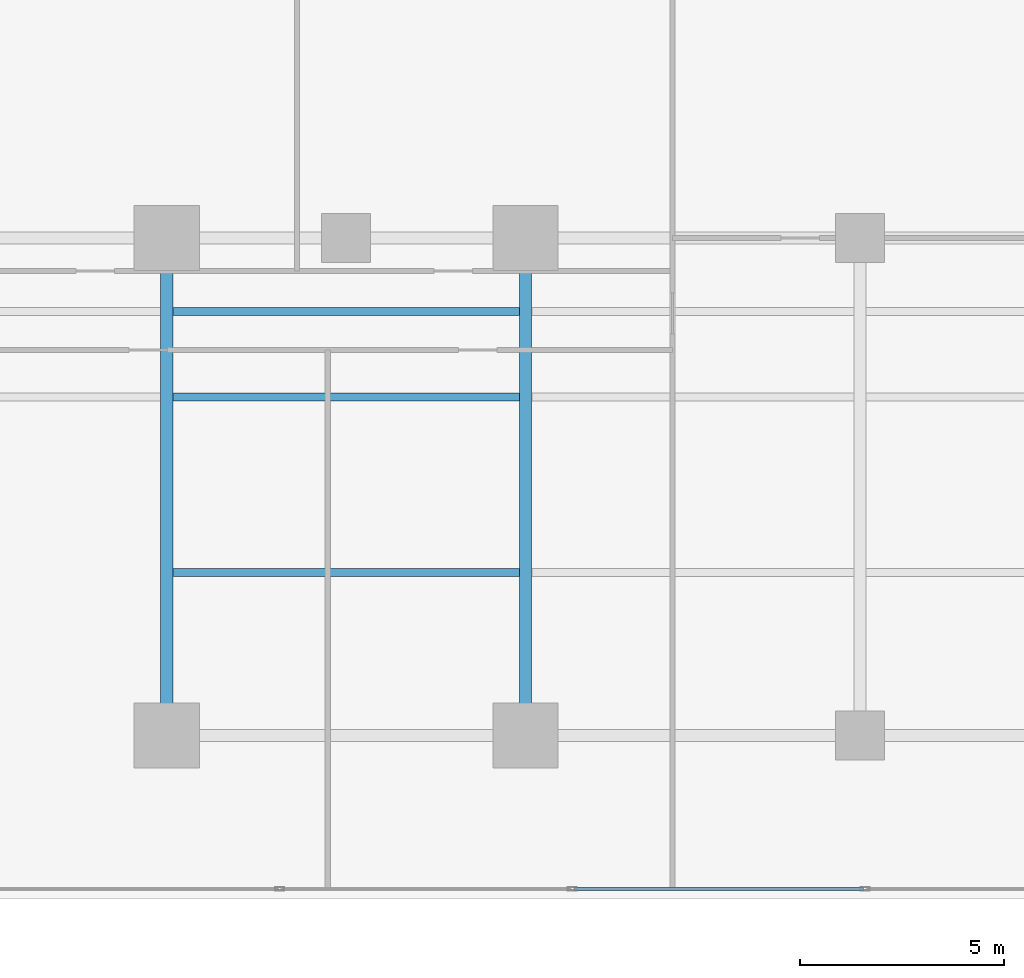
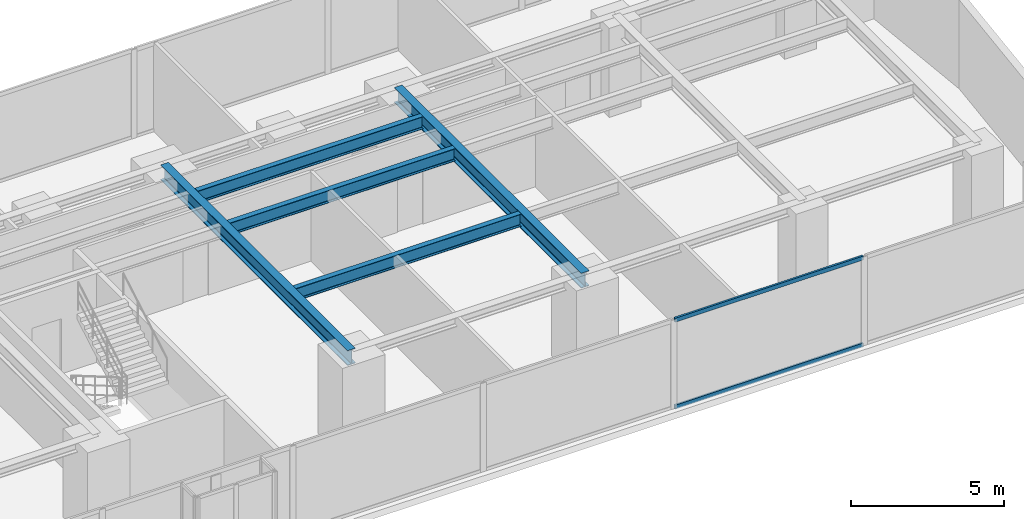
# One storey, part 10 of 26: 5 beams, 2 members, 1 element without a shape of its own.
"""IFC4 building model written with IfcOpenShell, lengths in metres."""

from ifc_helpers import new_model, si_unit, direction, frame, origin, origin_with_axes, origin_2d, place, context, subcontext, project, spatial, hollow_rectangle, i_section, extrude, source, transform, mapped, material, layer, layer_set, material_profile, profile_set, type_object, element, aggregate, save


model = new_model("IFC4")

# Units and contexts
model_context = context("Model", 3, precision=1e-05, world=origin(), true_north=direction((0.0, 1.0)))
body_context = subcontext(model_context, "Body", "Model", "MODEL_VIEW")
ifc_project = project(units=[si_unit("LENGTHUNIT", "METRE"), si_unit("AREAUNIT", "SQUARE_METRE"), si_unit("VOLUMEUNIT", "CUBIC_METRE"), si_unit("PLANEANGLEUNIT", "RADIAN"), si_unit("MASSUNIT", "GRAM", prefix="KILO")], contexts=[model_context])

# Site, building, storey
site_placement = place(None, origin())
site = spatial("IfcSite", under=ifc_project, at=site_placement, CompositionType="ELEMENT")
building_placement = place(site_placement, origin())
building = spatial("IfcBuilding", under=site, at=building_placement, Name="Kolvaren Waterfront Exchange", CompositionType="ELEMENT")
storey_placement = place(building_placement, frame((0.0, 0.0, 48.60009765625)))
storey = spatial("IfcBuildingStorey", under=building, at=storey_placement, Name="L12", CompositionType="ELEMENT", Elevation=48.60009765625)

# Beams
ifc_material_1 = material(Name="Steel S355", Category="steel")
ifc_material_profile_1 = material_profile(ifc_material_1, i_section(OverallWidth=0.300048828125, OverallDepth=0.60009765625, WebThickness=0.015380859375, FlangeThickness=0.030029296875, FilletRadius=0.027099609375, at=origin_2d()), Name="HEB600")
ifc_profile_set_1 = profile_set([ifc_material_profile_1], Name="Steel S355")
beam_type_1 = type_object("IfcBeamType", Name="STR-BM-HEB600", PredefinedType="BEAM", material=ifc_profile_set_1)
for number, where, z_axis, x_axis, name in (
    (1, (36.800048828125, 5.199951171875, 3.239990234375), (0.0, 1.0, 0.0), (-1.0, 0.0, 0.0), "L12 east-arm transverse girder X36"),
    (2, (45.60009765625, 5.199951171875, 3.239990234375), (0.0, 1.0, 0.0), (-1.0, 0.0, 0.0), "L12 east-arm transverse girder X45"),
):
    element("IfcBeam", number, at=place(storey_placement, frame(where, z_axis=z_axis, x_axis=x_axis)), inside=storey, type_object=beam_type_1, Name=name, PredefinedType="BEAM", context=body_context, shape_type="SweptSolid", body=[
        extrude(i_section(OverallWidth=0.300048828125, OverallDepth=0.60009765625, WebThickness=0.015380859375, FlangeThickness=0.030029296875, FilletRadius=0.027099609375, at=origin_2d()), origin(), (0.0, 0.0, 1.0), 12.199951171875),
    ])
ifc_material_profile_2 = material_profile(ifc_material_1, i_section(OverallWidth=0.199951171875, OverallDepth=0.5, WebThickness=0.01025390625, FlangeThickness=0.01611328125, FilletRadius=0.02099609375, at=origin_2d()), Name="IPE500")
ifc_profile_set_2 = profile_set([ifc_material_profile_2], Name="Steel S355")
beam_type_2 = type_object("IfcBeamType", Name="STR-BM-IPE500", PredefinedType="JOIST", material=ifc_profile_set_2)
for number, where, z_axis, x_axis, name in (
    (3, (36.951904296875, 13.5, 3.289794921875), (1.0, 0.0, 0.0), (0.0, 1.0, 0.0), "L12 east-arm composite joist 3A"),
    (4, (36.951904296875, 15.60009765625, 3.289794921875), (1.0, 0.0, 0.0), (0.0, 1.0, 0.0), "L12 east-arm composite joist 3C"),
    (5, (36.951904296875, 9.199951171875, 3.289794921875), (1.0, 0.0, 0.0), (0.0, 1.0, 0.0), "L12 east-arm composite joist 3B"),
):
    element("IfcBeam", number, at=place(storey_placement, frame(where, z_axis=z_axis, x_axis=x_axis)), inside=storey, type_object=beam_type_2, Name=name, PredefinedType="JOIST", context=body_context, shape_type="SweptSolid", body=[
        extrude(i_section(OverallWidth=0.199951171875, OverallDepth=0.5, WebThickness=0.01025390625, FlangeThickness=0.01611328125, FilletRadius=0.02099609375, at=origin_2d()), origin(), (0.0, 0.0, 1.0), 8.49609375),
    ])

# Curtain wall, members
ifc_material_2 = material(Name="Anodised bronze aluminium 6063-T6", Category="aluminium")
ifc_layer = layer(ifc_material_2, 0.219970703125, Name="Anodised bronze aluminium 6063-T6")
ifc_layer_set = layer_set([ifc_layer], Name="Anodised bronze aluminium 6063-T6")
curtain_wall_type = type_object("IfcCurtainWallType", Name="ARC-CW-SYS1", PredefinedType="USERDEFINED", material=ifc_layer_set)
curtain_wall_placement = place(storey_placement, origin())
curtain_wall = element("IfcCurtainWall", 6, at=curtain_wall_placement, inside=storey, type_object=curtain_wall_type, Name="L12 stick curtain wall CW1 (CW-L12-S)", ObjectType="STICK CURTAIN WALL", PredefinedType="USERDEFINED")
ifc_material_3 = material(Name="Anodised aluminium 6063-T6", Category="aluminium")
ifc_material_profile_3 = material_profile(ifc_material_3, hollow_rectangle(XDim=0.074951171875, YDim=0.159912109375, WallThickness=0.00439453125, at=origin_2d()), Name="ALU-TRN-160x75x4.5")
ifc_profile_set_3 = profile_set([ifc_material_profile_3], Name="Anodised aluminium 6063-T6")
member_type = type_object("IfcMemberType", Name="ARC-CWT-160", PredefinedType="USERDEFINED", material=ifc_profile_set_3)
shared_shape = source(origin_with_axes(), body_context, "Body", "SweptSolid", [
    extrude(hollow_rectangle(XDim=0.074951171875, YDim=0.159912109375, WallThickness=0.00439453125, at=origin_2d()), origin(), (0.0, 0.0, 1.0), 7.094970703125),
])
member_1_placement = place(storey_placement, frame((46.7900390625, 1.43994140625, 0.037353515625), z_axis=(1.0, 0.0, 0.0), x_axis=(0.0, 1.0, 0.0)))
member_1 = element("IfcMember", 7, at=member_1_placement, type_object=member_type, Name="CW1 transom 7.1", ObjectType="TRANSOM", PredefinedType="USERDEFINED", context=body_context, shape_type="MappedRepresentation", body=[
    mapped(shared_shape, transform((0.0, 0.0, 0.0), x_axis=(1.0, 0.0, 0.0), y_axis=(0.0, 1.0, 0.0), z_axis=(0.0, 0.0, 1.0), scale=1.0)),
])
member_2_placement = place(storey_placement, frame((46.7900390625, 1.43994140625, 3.50244140625), z_axis=(1.0, 0.0, 0.0), x_axis=(0.0, 1.0, 0.0)))
member_2 = element("IfcMember", 8, at=member_2_placement, type_object=member_type, Name="CW1 transom 7.2", ObjectType="TRANSOM", PredefinedType="USERDEFINED", context=body_context, shape_type="MappedRepresentation", body=[
    mapped(shared_shape, transform((0.0, 0.0, 0.0), x_axis=(1.0, 0.0, 0.0), y_axis=(0.0, 1.0, 0.0), z_axis=(0.0, 0.0, 1.0), scale=1.0)),
])
aggregate(curtain_wall, [member_1, member_2])

save(model, "model.ifc")
